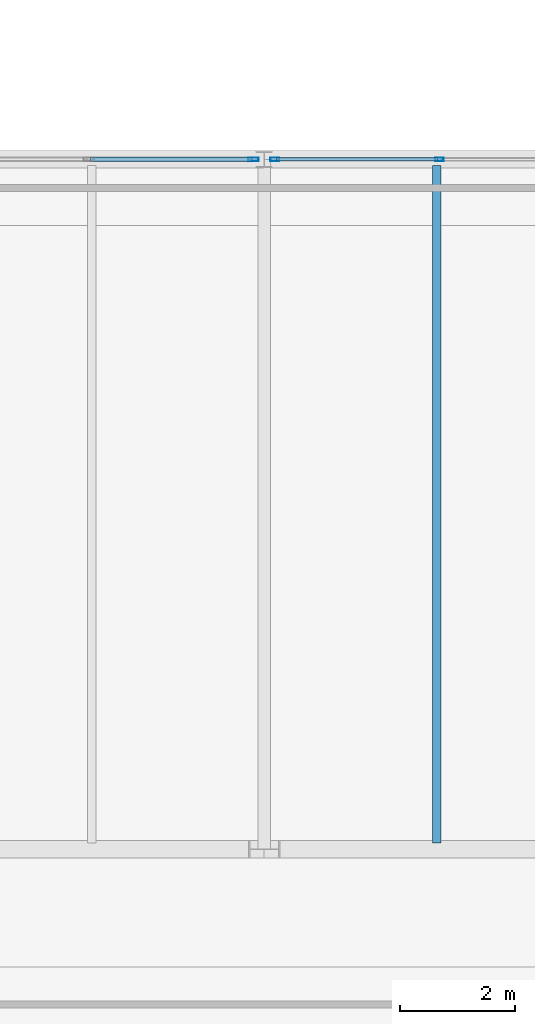
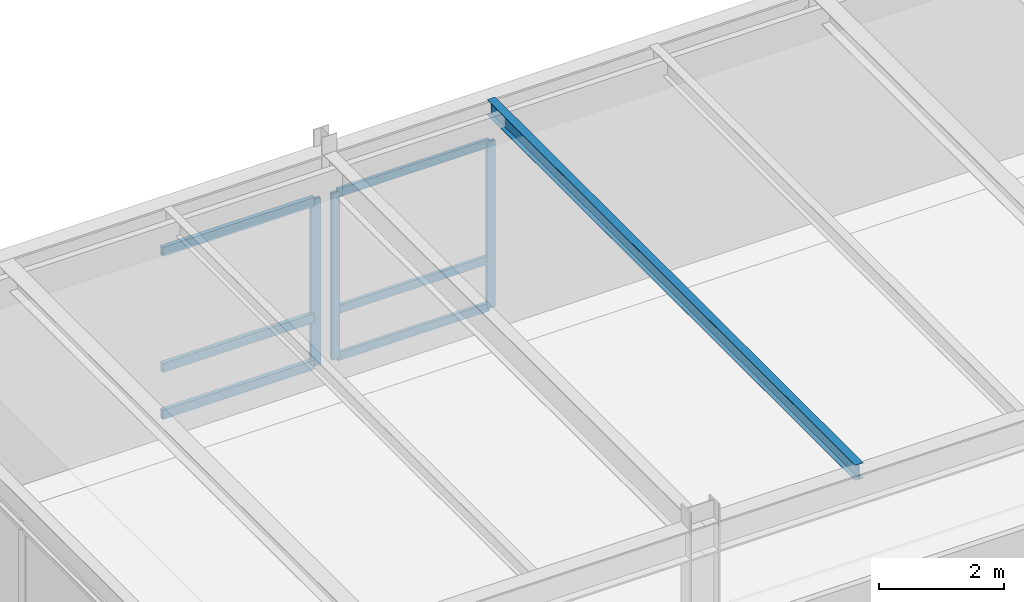
# One storey, part 23 of 127: 9 members, 1 beam, 2 elements without a shape of their own.
"""IFC4 building model written with IfcOpenShell, lengths in metres."""

from ifc_helpers import new_model, si_unit, direction, frame, origin, origin_2d, place, context, subcontext, project, spatial, hollow_rectangle, i_section, extrude, material, layer, layer_set, material_profile, profile_set, type_object, element, aggregate, save


model = new_model("IFC4")

# Units and contexts
model_context = context("Model", 3, precision=1e-05, world=origin(), true_north=direction((0.0, 1.0)))
body_context = subcontext(model_context, "Body", "Model", "MODEL_VIEW")
ifc_project = project(units=[si_unit("LENGTHUNIT", "METRE"), si_unit("AREAUNIT", "SQUARE_METRE"), si_unit("VOLUMEUNIT", "CUBIC_METRE"), si_unit("PLANEANGLEUNIT", "RADIAN"), si_unit("MASSUNIT", "GRAM", prefix="KILO")], contexts=[model_context])

# Site, building, storey
site_placement = place(None, origin())
site = spatial("IfcSite", under=ifc_project, at=site_placement, CompositionType="ELEMENT")
building_placement = place(site_placement, origin())
building = spatial("IfcBuilding", under=site, at=building_placement, Name="Montelvaro Courts of Justice", CompositionType="ELEMENT")
storey_placement = place(building_placement, frame((0.0, 0.0, 5.39990234375)))
storey = spatial("IfcBuildingStorey", under=building, at=storey_placement, Name="L01", CompositionType="ELEMENT", Elevation=5.39990234375)

# Beam
ifc_material_1 = material(Name="Steel S355", Category="steel")
ifc_material_profile_1 = material_profile(ifc_material_1, i_section(OverallWidth=0.14990234375, OverallDepth=0.300048828125, WebThickness=0.007080078125, FlangeThickness=0.0107421875, at=origin_2d()), Name="IPE 300")
ifc_profile_set_1 = profile_set([ifc_material_profile_1], Name="Steel S355")
beam_type = type_object("IfcBeamType", Name="Beam_IPE300", PredefinedType="BEAM", material=ifc_profile_set_1)
beam_placement = place(storey_placement, frame((30.0, 42.110107421875, 4.010009765625), z_axis=(0.0, 1.0, 0.0), x_axis=(-1.0, 0.0, 0.0)))
element("IfcBeam", 1, at=beam_placement, inside=storey, type_object=beam_type, Name="Beam B-05 L01", PredefinedType="BEAM", context=body_context, shape_type="SweptSolid", body=[
    extrude(i_section(OverallWidth=0.14990234375, OverallDepth=0.300048828125, WebThickness=0.007080078125, FlangeThickness=0.0107421875, at=origin_2d()), origin(), (0.0, 0.0, 1.0), 11.77978515625),
])

# Curtain wall, members
ifc_material_2 = material(Name="Anodised aluminium EN AW-6063", Category="aluminium")
ifc_layer = layer(ifc_material_2, 0.159912109375)
ifc_layer_set = layer_set([ifc_layer], Name="Anodised aluminium EN AW-6063")
curtain_wall_type = type_object("IfcCurtainWallType", Name="CurtainWall_18_868x418", PredefinedType="USERDEFINED", material=ifc_layer_set)
curtain_wall_1_placement = place(storey_placement, origin())
curtain_wall_1 = element("IfcCurtainWall", 2, at=curtain_wall_1_placement, inside=storey, type_object=curtain_wall_type, Name="Curtain Wall CW-18 (L01)", ObjectType="CURTAIN WALL", PredefinedType="USERDEFINED")
ifc_material_profile_2 = material_profile(ifc_material_2, hollow_rectangle(XDim=0.06005859375, YDim=0.14990234375, WallThickness=0.00390625, at=origin_2d()), Name="ALU-M 60x150")
ifc_profile_set_2 = profile_set([ifc_material_profile_2], Name="Anodised aluminium EN AW-6063")
member_type_1 = type_object("IfcMemberType", Name="CurtainWall_Mullion_60x150", PredefinedType="MULLION", material=ifc_profile_set_2)
member_1_placement = place(storey_placement, frame((30.04833984375, 54.0, 0.0), z_axis=(0.0, 0.0, 1.0), x_axis=(0.0, -1.0, 0.0)))
member_1 = element("IfcMember", 3, at=member_1_placement, type_object=member_type_1, Name="CW-18 mullion 3", PredefinedType="MULLION", context=body_context, shape_type="SweptSolid", body=[
    extrude(hollow_rectangle(XDim=0.06005859375, YDim=0.14990234375, WallThickness=0.00390625, at=origin_2d()), origin(), (0.0, 0.0, 1.0), 3.255126953125),
])
member_2_placement = place(storey_placement, frame((27.18505859375, 54.0, 0.0), z_axis=(0.0, 0.0, 1.0), x_axis=(0.0, -1.0, 0.0)))
member_2 = element("IfcMember", 4, at=member_2_placement, type_object=member_type_1, Name="CW-18 mullion 4", PredefinedType="MULLION", context=body_context, shape_type="SweptSolid", body=[
    extrude(hollow_rectangle(XDim=0.06005859375, YDim=0.14990234375, WallThickness=0.00390625, at=origin_2d()), origin(), (0.0, 0.0, 1.0), 3.255126953125),
])

# Curtain wall, member
curtain_wall_2_placement = place(storey_placement, origin())
curtain_wall_2 = element("IfcCurtainWall", 5, at=curtain_wall_2_placement, inside=storey, type_object=curtain_wall_type, Name="Curtain Wall CW-18 (L01)", ObjectType="CURTAIN WALL", PredefinedType="USERDEFINED")
ifc_material_profile_3 = material_profile(ifc_material_2, hollow_rectangle(XDim=0.06005859375, YDim=0.179931640625, WallThickness=0.00439453125, at=origin_2d()), Name="ALU-M 60x180")
ifc_profile_set_3 = profile_set([ifc_material_profile_3], Name="Anodised aluminium EN AW-6063")
member_type_2 = type_object("IfcMemberType", Name="CurtainWall_Mullion_60x180", PredefinedType="MULLION", material=ifc_profile_set_3)
member_3_placement = place(storey_placement, frame((26.81494140625, 54.0, 0.0), z_axis=(0.0, 0.0, 1.0), x_axis=(0.0, -1.0, 0.0)))
member_3 = element("IfcMember", 6, at=member_3_placement, type_object=member_type_2, Name="CW-18 mullion 1", PredefinedType="MULLION", context=body_context, shape_type="SweptSolid", body=[
    extrude(hollow_rectangle(XDim=0.06005859375, YDim=0.179931640625, WallThickness=0.00439453125, at=origin_2d()), origin(), (0.0, 0.0, 1.0), 3.255126953125),
])

# Member
ifc_material_profile_4 = material_profile(ifc_material_2, hollow_rectangle(XDim=0.06005859375, YDim=0.159912109375, WallThickness=0.00439453125, at=origin_2d()), Name="ALU-T 60x160")
ifc_profile_set_4 = profile_set([ifc_material_profile_4], Name="Anodised aluminium EN AW-6063")
member_type_3 = type_object("IfcMemberType", Name="CurtainWall_Transom_60x160", PredefinedType="USERDEFINED", material=ifc_profile_set_4)
member_4_placement = place(storey_placement, frame((30.018310546875, 54.0, 0.030029296875), z_axis=(-1.0, 0.0, 0.0), x_axis=(0.0, -1.0, 0.0)))
member_4 = element("IfcMember", 7, at=member_4_placement, type_object=member_type_3, Name="CW-18 transom 3.1", ObjectType="TRANSOM", PredefinedType="USERDEFINED", context=body_context, shape_type="SweptSolid", body=[
    extrude(hollow_rectangle(XDim=0.06005859375, YDim=0.159912109375, WallThickness=0.00439453125, at=origin_2d()), origin(), (0.0, 0.0, 1.0), 2.80322265625),
])

member_5_placement = place(storey_placement, frame((30.018310546875, 54.0, 0.9501953125), z_axis=(-1.0, 0.0, 0.0), x_axis=(0.0, -1.0, 0.0)))
member_5 = element("IfcMember", 8, at=member_5_placement, type_object=member_type_3, Name="CW-18 transom 3.2", ObjectType="TRANSOM", PredefinedType="USERDEFINED", context=body_context, shape_type="SweptSolid", body=[
    extrude(hollow_rectangle(XDim=0.06005859375, YDim=0.159912109375, WallThickness=0.00439453125, at=origin_2d()), origin(), (0.0, 0.0, 1.0), 2.80322265625),
])

member_6_placement = place(storey_placement, frame((30.018310546875, 54.0, 3.22509765625), z_axis=(-1.0, 0.0, 0.0), x_axis=(0.0, -1.0, 0.0)))
member_6 = element("IfcMember", 9, at=member_6_placement, type_object=member_type_3, Name="CW-18 transom 3.3", ObjectType="TRANSOM", PredefinedType="USERDEFINED", context=body_context, shape_type="SweptSolid", body=[
    extrude(hollow_rectangle(XDim=0.06005859375, YDim=0.159912109375, WallThickness=0.00439453125, at=origin_2d()), origin(), (0.0, 0.0, 1.0), 2.80322265625),
])

aggregate(curtain_wall_1, [member_1, member_2, member_4, member_5, member_6])

ifc_material_profile_5 = material_profile(ifc_material_2, hollow_rectangle(XDim=0.074951171875, YDim=0.179931640625, WallThickness=0.0048828125, at=origin_2d()), Name="ALU-T 75x180")
ifc_profile_set_5 = profile_set([ifc_material_profile_5], Name="Anodised aluminium EN AW-6063")
member_type_4 = type_object("IfcMemberType", Name="CurtainWall_Transom_75x180", PredefinedType="USERDEFINED", material=ifc_profile_set_5)
member_7_placement = place(storey_placement, frame((26.784912109375, 54.0, 0.03759765625), z_axis=(-1.0, 0.0, 0.0), x_axis=(0.0, -1.0, 0.0)))
member_7 = element("IfcMember", 10, at=member_7_placement, type_object=member_type_4, Name="CW-18 transom 1.1", ObjectType="TRANSOM", PredefinedType="USERDEFINED", context=body_context, shape_type="SweptSolid", body=[
    extrude(hollow_rectangle(XDim=0.074951171875, YDim=0.179931640625, WallThickness=0.0048828125, at=origin_2d()), origin(), (0.0, 0.0, 1.0), 2.80322265625),
])

member_8_placement = place(storey_placement, frame((26.784912109375, 54.0, 0.9501953125), z_axis=(-1.0, 0.0, 0.0), x_axis=(0.0, -1.0, 0.0)))
member_8 = element("IfcMember", 11, at=member_8_placement, type_object=member_type_4, Name="CW-18 transom 1.2", ObjectType="TRANSOM", PredefinedType="USERDEFINED", context=body_context, shape_type="SweptSolid", body=[
    extrude(hollow_rectangle(XDim=0.074951171875, YDim=0.179931640625, WallThickness=0.0048828125, at=origin_2d()), origin(), (0.0, 0.0, 1.0), 2.80322265625),
])

member_9_placement = place(storey_placement, frame((26.784912109375, 54.0, 3.217529296875), z_axis=(-1.0, 0.0, 0.0), x_axis=(0.0, -1.0, 0.0)))
member_9 = element("IfcMember", 12, at=member_9_placement, type_object=member_type_4, Name="CW-18 transom 1.3", ObjectType="TRANSOM", PredefinedType="USERDEFINED", context=body_context, shape_type="SweptSolid", body=[
    extrude(hollow_rectangle(XDim=0.074951171875, YDim=0.179931640625, WallThickness=0.0048828125, at=origin_2d()), origin(), (0.0, 0.0, 1.0), 2.80322265625),
])

aggregate(curtain_wall_2, [member_3, member_7, member_8, member_9])

save(model, "model.ifc")
